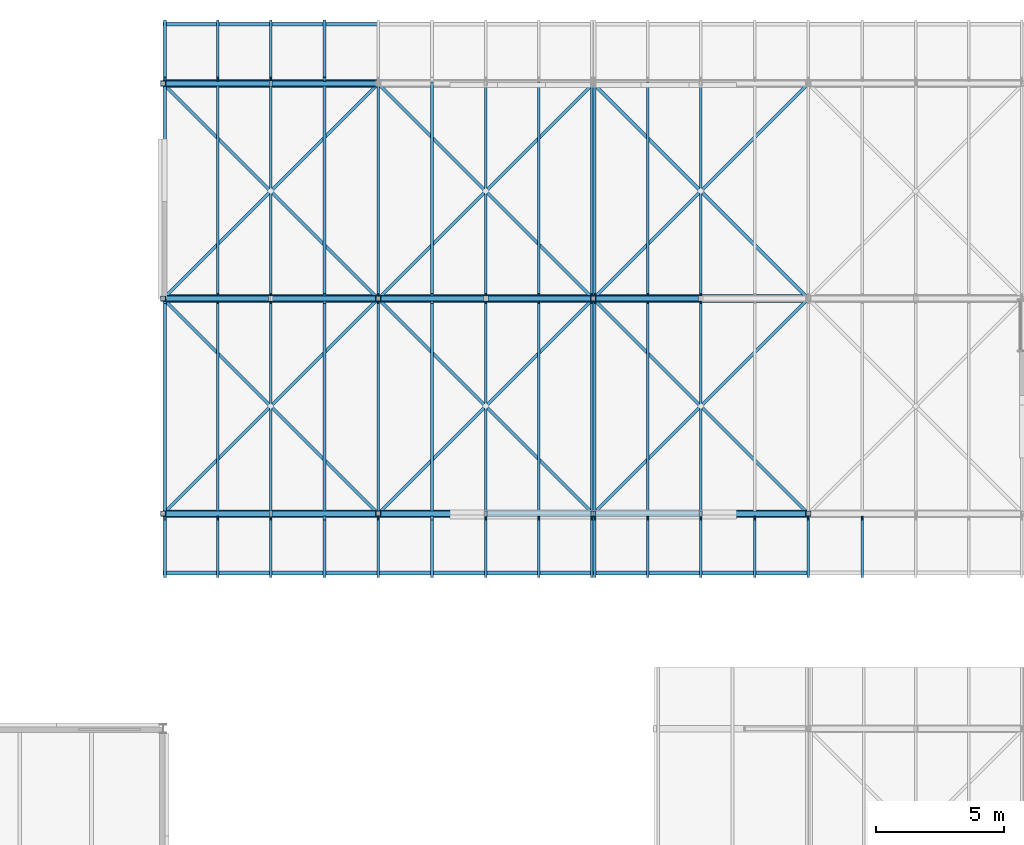
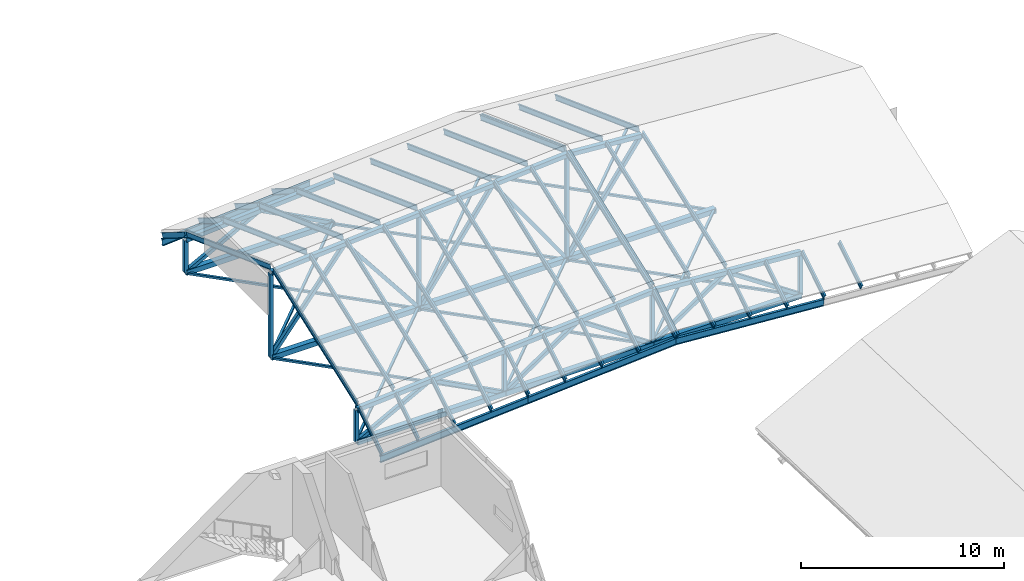
# One storey, part 22 of 76: 67 beams, 33 members.
"""IFC4 building model written with IfcOpenShell, lengths in metres."""

from ifc_helpers import new_model, si_unit, direction, frame, origin, origin_2d, place, context, subcontext, project, spatial, hollow_rectangle, i_section, extrude, material, material_profile, profile_set, type_object, element, save


model = new_model("IFC4")

# Units and contexts
model_context = context("Model", 3, precision=1e-05, world=origin(), true_north=direction((0.0, 1.0)))
body_context = subcontext(model_context, "Body", "Model", "MODEL_VIEW")
ifc_project = project(units=[si_unit("LENGTHUNIT", "METRE"), si_unit("AREAUNIT", "SQUARE_METRE"), si_unit("VOLUMEUNIT", "CUBIC_METRE"), si_unit("PLANEANGLEUNIT", "RADIAN"), si_unit("MASSUNIT", "GRAM", prefix="KILO")], contexts=[model_context])

# Site, building, storey
site_placement = place(None, origin())
site = spatial("IfcSite", under=ifc_project, at=site_placement, CompositionType="ELEMENT")
building_placement = place(site_placement, origin())
building = spatial("IfcBuilding", under=site, at=building_placement, Name="Hlaing Beacon Police Headquarters", CompositionType="ELEMENT")
storey_placement = place(building_placement, frame((0.0, 0.0, 18.89990234375)))
storey = spatial("IfcBuildingStorey", under=building, at=storey_placement, Name="L04", CompositionType="ELEMENT", Elevation=18.89990234375)

# Beams
ifc_material_1 = material(Name="Steel ASTM A992 Grade 50", Category="steel")
ifc_material_profile_1 = material_profile(ifc_material_1, i_section(OverallWidth=0.140380859375, OverallDepth=0.40380859375, WebThickness=0.007080078125, FlangeThickness=0.01123046875, FilletRadius=0.01025390625, at=origin_2d()), Name="W16x31")
ifc_profile_set_1 = profile_set([ifc_material_profile_1], Name="Steel ASTM A992 Grade 50")
beam_type_1 = type_object("IfcBeamType", Name="Eave edge beam W16x31", PredefinedType="BEAM", material=ifc_profile_set_1)
for number, where, z_axis, x_axis, name in (
    (1, (33.60009765625, 73.28271484375, -2.199951171875), (0.997459876989, 0.0, 0.071230567859), (0.0, 1.0, 0.0), "STR-RT-V2-EB-R1-01"),
    (2, (42.0, 73.28271484375, -1.60009765625), (0.997457816785, 0.0, 0.071259411546), (0.0, 1.0, 0.0), "STR-RT-V2-EB-R1-02"),
):
    element("IfcBeam", number, at=place(storey_placement, frame(where, z_axis=z_axis, x_axis=x_axis)), inside=storey, type_object=beam_type_1, Name=name, PredefinedType="BEAM", context=body_context, shape_type="SweptSolid", body=[
        extrude(i_section(OverallWidth=0.140380859375, OverallDepth=0.40380859375, WebThickness=0.007080078125, FlangeThickness=0.01123046875, FilletRadius=0.01025390625, at=origin_2d()), origin(), (0.0, 0.0, 1.0), 8.42138671875),
    ])
beam_1_placement = place(storey_placement, frame((50.39990234375, 73.28271484375, -1.0), z_axis=(0.997457963991, 0.0, -0.071257350989), x_axis=(0.0, 1.0, 0.0)))
element("IfcBeam", 3, at=beam_1_placement, inside=storey, type_object=beam_type_1, Name="STR-RT-V2-EB-R2-01", PredefinedType="BEAM", context=body_context, shape_type="SweptSolid", body=[
    extrude(i_section(OverallWidth=0.140380859375, OverallDepth=0.40380859375, WebThickness=0.007080078125, FlangeThickness=0.01123046875, FilletRadius=0.01025390625, at=origin_2d()), origin(), (0.0, 0.0, 1.0), 8.421630859375),
])
beam_2_placement = place(storey_placement, frame((33.60009765625, 94.71728515625, -2.199951171875), z_axis=(0.997459876989, 0.0, 0.071230567859), x_axis=(0.0, 1.0, 0.0)))
element("IfcBeam", 4, at=beam_2_placement, inside=storey, type_object=beam_type_1, Name="STR-RT-V2-EB-R7-01", PredefinedType="BEAM", context=body_context, shape_type="SweptSolid", body=[
    extrude(i_section(OverallWidth=0.140380859375, OverallDepth=0.40380859375, WebThickness=0.007080078125, FlangeThickness=0.01123046875, FilletRadius=0.01025390625, at=origin_2d()), origin(), (0.0, 0.0, 1.0), 8.42138671875),
])

# Members
ifc_material_2 = material(Name="Steel ASTM A500 Grade C", Category="steel")
ifc_material_profile_2 = material_profile(ifc_material_2, hollow_rectangle(XDim=0.126953125, YDim=0.126953125, WallThickness=0.009521484375, at=origin_2d()), Name="HSS5x5x3/8")
ifc_profile_set_2 = profile_set([ifc_material_profile_2], Name="Steel ASTM A500 Grade C")
member_type_1 = type_object("IfcMemberType", Name="Roof plan brace HSS5x5x3/8", PredefinedType="BRACE", material=ifc_profile_set_2)
for number, where, z_axis, x_axis, name in (
    (5, (33.60009765625, 75.60009765625, -2.47412109375), (0.707106781187, 0.707106781187, 0.0), (-0.707106781187, 0.707106781187, 0.0), "STR-RT-V2-WB01"),
    (6, (33.60009765625, 84.0, -2.62109375), (0.707106781187, -0.707106781187, 0.0), (0.707106781187, 0.707106781187, 0.0), "STR-RT-V2-WB02"),
    (7, (42.0, 75.60009765625, -2.47412109375), (0.707106781187, 0.707106781187, 0.0), (-0.707106781187, 0.707106781187, 0.0), "STR-RT-V2-WB03"),
    (8, (42.0, 84.0, -2.62109375), (0.707106781187, -0.707106781187, 0.0), (0.707106781187, 0.707106781187, 0.0), "STR-RT-V2-WB04"),
):
    element("IfcMember", number, at=place(storey_placement, frame(where, z_axis=z_axis, x_axis=x_axis)), inside=storey, type_object=member_type_1, Name=name, PredefinedType="BRACE", context=body_context, shape_type="SweptSolid", body=[
        extrude(hollow_rectangle(XDim=0.126953125, YDim=0.126953125, WallThickness=0.009521484375, at=origin_2d()), origin(), (0.0, 0.0, 1.0), 11.879150390625),
    ])
for number, where, z_axis, x_axis, name in (
    (9, (50.39990234375, 75.60009765625, -2.47412109375), (0.707117056885, 0.707096505339, 0.0), (-0.707096505339, 0.707117056885, 0.0), "STR-RT-V2-WB05"),
    (10, (50.39990234375, 84.0, -2.62109375), (0.707117056885, -0.707096505339, 0.0), (0.707096505339, 0.707117056885, 0.0), "STR-RT-V2-WB06"),
):
    element("IfcMember", number, at=place(storey_placement, frame(where, z_axis=z_axis, x_axis=x_axis)), inside=storey, type_object=member_type_1, Name=name, PredefinedType="BRACE", context=body_context, shape_type="SweptSolid", body=[
        extrude(hollow_rectangle(XDim=0.126953125, YDim=0.126953125, WallThickness=0.009521484375, at=origin_2d()), origin(), (0.0, 0.0, 1.0), 11.87939453125),
    ])
for number, where, z_axis, x_axis, name in (
    (11, (33.60009765625, 84.0, -2.47412109375), (0.707106781187, 0.707106781187, 0.0), (-0.707106781187, 0.707106781187, 0.0), "STR-RT-V2-WB09"),
    (12, (33.60009765625, 92.39990234375, -2.62109375), (0.707106781187, -0.707106781187, 0.0), (0.707106781187, 0.707106781187, 0.0), "STR-RT-V2-WB10"),
    (13, (42.0, 84.0, -2.47412109375), (0.707106781187, 0.707106781187, 0.0), (-0.707106781187, 0.707106781187, 0.0), "STR-RT-V2-WB11"),
    (14, (42.0, 92.39990234375, -2.62109375), (0.707106781187, -0.707106781187, 0.0), (0.707106781187, 0.707106781187, 0.0), "STR-RT-V2-WB12"),
):
    element("IfcMember", number, at=place(storey_placement, frame(where, z_axis=z_axis, x_axis=x_axis)), inside=storey, type_object=member_type_1, Name=name, PredefinedType="BRACE", context=body_context, shape_type="SweptSolid", body=[
        extrude(hollow_rectangle(XDim=0.126953125, YDim=0.126953125, WallThickness=0.009521484375, at=origin_2d()), origin(), (0.0, 0.0, 1.0), 11.879150390625),
    ])
for number, where, z_axis, x_axis, name in (
    (15, (50.39990234375, 84.0, -2.47412109375), (0.707117056885, 0.707096505339, 0.0), (-0.707096505339, 0.707117056885, 0.0), "STR-RT-V2-WB13"),
    (16, (50.39990234375, 92.39990234375, -2.62109375), (0.707117056885, -0.707096505339, 0.0), (0.707096505339, 0.707117056885, 0.0), "STR-RT-V2-WB14"),
):
    element("IfcMember", number, at=place(storey_placement, frame(where, z_axis=z_axis, x_axis=x_axis)), inside=storey, type_object=member_type_1, Name=name, PredefinedType="BRACE", context=body_context, shape_type="SweptSolid", body=[
        extrude(hollow_rectangle(XDim=0.126953125, YDim=0.126953125, WallThickness=0.009521484375, at=origin_2d()), origin(), (0.0, 0.0, 1.0), 11.87939453125),
    ])

# Beams
ifc_material_3 = material(Name="Steel ASTM A992 Grade 50", Category="steel")
ifc_material_profile_3 = material_profile(ifc_material_3, i_section(OverallWidth=0.102294921875, OverallDepth=0.3125, WebThickness=0.006591796875, FlangeThickness=0.0107421875, FilletRadius=0.007568359375, at=origin_2d()), Name="W12x22")
ifc_profile_set_3 = profile_set([ifc_material_profile_3], Name="Steel ASTM A992 Grade 50")
beam_type_2 = type_object("IfcBeamType", Name="Roof purlin W12x22", PredefinedType="BEAM", material=ifc_profile_set_3)
for number, where, z_axis, x_axis, name in (
    (17, (33.67041015625, 73.199951171875, -1.8603515625), (0.0, 0.847972250869, 0.530040622741), (-1.0, 0.0, 0.0), "STR-RT-V2-PR-R1-01-1"),
    (18, (35.735107421875, 73.199951171875, -1.712890625), (0.0, 0.847972250869, 0.530040622741), (-1.0, 0.0, 0.0), "STR-RT-V2-PR-R1-02-1"),
    (19, (37.800048828125, 73.199951171875, -1.565185546875), (0.0, 0.848013935671, 0.529973928516), (-1.0, 0.0, 0.0), "STR-RT-V2-PR-R1-03-1"),
    (20, (39.89990234375, 73.199951171875, -1.415283203125), (0.0, 0.847972250869, 0.530040622741), (-1.0, 0.0, 0.0), "STR-RT-V2-PR-R1-04-1"),
    (21, (42.0, 73.199951171875, -1.265380859375), (0.0, 0.847972250869, 0.530040622741), (-1.0, 0.0, 0.0), "STR-RT-V2-PR-R1-05-1"),
    (22, (44.10009765625, 73.199951171875, -1.115234375), (0.0, 0.848013935671, 0.529973928516), (-1.0, 0.0, 0.0), "STR-RT-V2-PR-R1-06-1"),
    (23, (46.199951171875, 73.199951171875, -0.96533203125), (0.0, 0.847972250869, 0.530040622741), (-1.0, 0.0, 0.0), "STR-RT-V2-PR-R1-07-1"),
    (24, (48.269287109375, 73.199951171875, -0.8173828125), (0.0, 0.848013935671, 0.529973928516), (-1.0, 0.0, 0.0), "STR-RT-V2-PR-R1-08-1"),
    (25, (50.3388671875, 73.199951171875, -0.669677734375), (0.0, 0.847972250869, 0.530040622741), (-1.0, 0.0, 0.0), "STR-RT-V2-PR-R1-09-1"),
    (26, (50.461181640625, 73.199951171875, -0.669677734375), (0.0, 0.847972250869, 0.530040622741), (-1.0, 0.0, 0.0), "STR-RT-V2-PR-R2-01-1"),
    (27, (52.530517578125, 73.199951171875, -0.8173828125), (0.0, 0.848013935671, 0.529973928516), (-1.0, 0.0, 0.0), "STR-RT-V2-PR-R2-02-1"),
    (28, (54.60009765625, 73.199951171875, -0.96533203125), (0.0, 0.847972250869, 0.530040622741), (-1.0, 0.0, 0.0), "STR-RT-V2-PR-R2-03-1"),
    (29, (56.699951171875, 73.199951171875, -1.115234375), (0.0, 0.848013935671, 0.529973928516), (-1.0, 0.0, 0.0), "STR-RT-V2-PR-R2-04-1"),
    (30, (58.800048828125, 73.199951171875, -1.265380859375), (0.0, 0.847972250869, 0.530040622741), (-1.0, 0.0, 0.0), "STR-RT-V2-PR-R2-05-1"),
    (31, (60.89990234375, 73.199951171875, -1.415283203125), (0.0, 0.847972250869, 0.530040622741), (-1.0, 0.0, 0.0), "STR-RT-V2-PR-R2-06-1"),
):
    element("IfcBeam", number, at=place(storey_placement, frame(where, z_axis=z_axis, x_axis=x_axis)), inside=storey, type_object=beam_type_2, Name=name, PredefinedType="BEAM", context=body_context, shape_type="SweptSolid", body=[
        extrude(i_section(OverallWidth=0.102294921875, OverallDepth=0.3125, WebThickness=0.006591796875, FlangeThickness=0.0107421875, FilletRadius=0.007568359375, at=origin_2d()), origin(), (0.0, 0.0, 1.0), 2.63232421875),
    ])
for number, where, z_axis, x_axis, name in (
    (32, (33.671142578125, 75.60009765625, -0.325439453125), (0.0, 0.938153150415, 0.346220545846), (-1.0, 0.0, 0.0), "STR-RT-V2-PR-R3-01-1"),
    (33, (35.735595703125, 75.60009765625, -0.17822265625), (0.0, 0.938144144405, 0.346244948437), (-1.0, 0.0, 0.0), "STR-RT-V2-PR-R3-02-1"),
    (34, (37.800048828125, 75.60009765625, -0.030517578125), (0.0, 0.938153150415, 0.346220545846), (-1.0, 0.0, 0.0), "STR-RT-V2-PR-R3-03-1"),
    (35, (39.89990234375, 75.60009765625, 0.119384765625), (0.0, 0.938144144405, 0.346244948437), (-1.0, 0.0, 0.0), "STR-RT-V2-PR-R3-04-1"),
    (36, (42.0, 75.60009765625, 0.269287109375), (0.0, 0.938144144405, 0.346244948437), (-1.0, 0.0, 0.0), "STR-RT-V2-PR-R3-05-1"),
    (37, (44.10009765625, 75.60009765625, 0.41943359375), (0.0, 0.938153150415, 0.346220545846), (-1.0, 0.0, 0.0), "STR-RT-V2-PR-R3-06-1"),
    (38, (46.199951171875, 75.60009765625, 0.5693359375), (0.0, 0.938144144405, 0.346244948437), (-1.0, 0.0, 0.0), "STR-RT-V2-PR-R3-07-1"),
    (39, (48.269287109375, 75.60009765625, 0.71728515625), (0.0, 0.938153150415, 0.346220545846), (-1.0, 0.0, 0.0), "STR-RT-V2-PR-R3-08-1"),
    (40, (50.3388671875, 75.60009765625, 0.864990234375), (0.0, 0.938144144405, 0.346244948437), (-1.0, 0.0, 0.0), "STR-RT-V2-PR-R3-09-1"),
    (41, (50.461181640625, 75.60009765625, 0.864990234375), (0.0, 0.938144144405, 0.346244948437), (-1.0, 0.0, 0.0), "STR-RT-V2-PR-R4-01-1"),
    (42, (52.530517578125, 75.60009765625, 0.71728515625), (0.0, 0.938153150415, 0.346220545846), (-1.0, 0.0, 0.0), "STR-RT-V2-PR-R4-02-1"),
    (43, (54.60009765625, 75.60009765625, 0.5693359375), (0.0, 0.938144144405, 0.346244948437), (-1.0, 0.0, 0.0), "STR-RT-V2-PR-R4-03-1"),
    (44, (33.671142578125, 84.13916015625, 2.72314453125), (0.0, 0.938153150415, -0.346220545846), (-1.0, 0.0, 0.0), "STR-RT-V2-PR-R5-01-1"),
    (45, (35.735595703125, 84.13916015625, 2.87060546875), (0.0, 0.938144144405, -0.346244948437), (-1.0, 0.0, 0.0), "STR-RT-V2-PR-R5-02-1"),
    (46, (37.800048828125, 84.13916015625, 3.01806640625), (0.0, 0.938153150415, -0.346220545846), (-1.0, 0.0, 0.0), "STR-RT-V2-PR-R5-03-1"),
    (47, (39.89990234375, 84.13916015625, 3.168212890625), (0.0, 0.938144144405, -0.346244948437), (-1.0, 0.0, 0.0), "STR-RT-V2-PR-R5-04-1"),
    (48, (42.0, 84.13916015625, 3.318115234375), (0.0, 0.938144144405, -0.346244948437), (-1.0, 0.0, 0.0), "STR-RT-V2-PR-R5-05-1"),
    (49, (44.10009765625, 84.13916015625, 3.468017578125), (0.0, 0.938153150415, -0.346220545846), (-1.0, 0.0, 0.0), "STR-RT-V2-PR-R5-06-1"),
    (50, (46.199951171875, 84.13916015625, 3.6181640625), (0.0, 0.938144144405, -0.346244948437), (-1.0, 0.0, 0.0), "STR-RT-V2-PR-R5-07-1"),
    (51, (48.269287109375, 84.13916015625, 3.765869140625), (0.0, 0.938153150415, -0.346220545846), (-1.0, 0.0, 0.0), "STR-RT-V2-PR-R5-08-1"),
    (52, (50.3388671875, 84.13916015625, 3.913818359375), (0.0, 0.938144144405, -0.346244948437), (-1.0, 0.0, 0.0), "STR-RT-V2-PR-R5-09-1"),
    (53, (50.461181640625, 84.13916015625, 3.913818359375), (0.0, 0.938144144405, -0.346244948437), (-1.0, 0.0, 0.0), "STR-RT-V2-PR-R6-01-1"),
    (54, (52.530517578125, 84.13916015625, 3.765869140625), (0.0, 0.938153150415, -0.346220545846), (-1.0, 0.0, 0.0), "STR-RT-V2-PR-R6-02-1"),
    (55, (54.60009765625, 84.13916015625, 3.6181640625), (0.0, 0.938144144405, -0.346244948437), (-1.0, 0.0, 0.0), "STR-RT-V2-PR-R6-03-1"),
):
    element("IfcBeam", number, at=place(storey_placement, frame(where, z_axis=z_axis, x_axis=x_axis)), inside=storey, type_object=beam_type_2, Name=name, PredefinedType="BEAM", context=body_context, shape_type="SweptSolid", body=[
        extrude(i_section(OverallWidth=0.102294921875, OverallDepth=0.3125, WebThickness=0.006591796875, FlangeThickness=0.0107421875, FilletRadius=0.007568359375, at=origin_2d()), origin(), (0.0, 0.0, 1.0), 8.805419921875),
    ])
for number, where, z_axis, x_axis, name in (
    (56, (33.67041015625, 92.56787109375, -0.465087890625), (0.0, 0.847972250869, -0.530040622741), (-1.0, 0.0, 0.0), "STR-RT-V2-PR-R7-01-1"),
    (57, (35.735107421875, 92.56787109375, -0.317626953125), (0.0, 0.847972250869, -0.530040622741), (-1.0, 0.0, 0.0), "STR-RT-V2-PR-R7-02-1"),
    (58, (37.800048828125, 92.56787109375, -0.170166015625), (0.0, 0.848013935671, -0.529973928516), (-1.0, 0.0, 0.0), "STR-RT-V2-PR-R7-03-1"),
    (59, (39.89990234375, 92.56787109375, -0.02001953125), (0.0, 0.847972250869, -0.530040622741), (-1.0, 0.0, 0.0), "STR-RT-V2-PR-R7-04-1"),
):
    element("IfcBeam", number, at=place(storey_placement, frame(where, z_axis=z_axis, x_axis=x_axis)), inside=storey, type_object=beam_type_2, Name=name, PredefinedType="BEAM", context=body_context, shape_type="SweptSolid", body=[
        extrude(i_section(OverallWidth=0.102294921875, OverallDepth=0.3125, WebThickness=0.006591796875, FlangeThickness=0.0107421875, FilletRadius=0.007568359375, at=origin_2d()), origin(), (0.0, 0.0, 1.0), 2.63232421875),
    ])
ifc_material_4 = material(Name="Steel ASTM A500 Grade C", Category="steel")
ifc_material_profile_4 = material_profile(ifc_material_4, hollow_rectangle(XDim=0.3046875, YDim=0.3046875, WallThickness=0.015869140625, at=origin_2d()), Name="HSS12x12x5/8")
ifc_profile_set_4 = profile_set([ifc_material_profile_4], Name="Steel ASTM A500 Grade C")
beam_type_3 = type_object("IfcBeamType", Name="Truss bottom chord HSS12x12x5/8", PredefinedType="BEAM", material=ifc_profile_set_4)
for number, where, z_axis, x_axis, name in (
    (60, (33.60009765625, 75.60009765625, -2.547607421875), (1.0, 0.0, 0.0), (0.0, 1.0, 0.0), "STR-RT-V2-T1-BC01"),
    (61, (42.0, 75.60009765625, -2.547607421875), (1.0, 0.0, 0.0), (0.0, 1.0, 0.0), "STR-RT-V2-T1-BC02"),
):
    element("IfcBeam", number, at=place(storey_placement, frame(where, z_axis=z_axis, x_axis=x_axis)), inside=storey, type_object=beam_type_3, Name=name, PredefinedType="BEAM", context=body_context, shape_type="SweptSolid", body=[
        extrude(hollow_rectangle(XDim=0.3046875, YDim=0.3046875, WallThickness=0.015869140625, at=origin_2d()), origin(), (0.0, 0.0, 1.0), 8.39990234375),
    ])
beam_3_placement = place(storey_placement, frame((50.39990234375, 75.60009765625, -2.547607421875), z_axis=(1.0, 0.0, 0.0), x_axis=(0.0, 1.0, 0.0)))
element("IfcBeam", 62, at=beam_3_placement, inside=storey, type_object=beam_type_3, Name="STR-RT-V2-T1-BC03", PredefinedType="BEAM", context=body_context, shape_type="SweptSolid", body=[
    extrude(hollow_rectangle(XDim=0.3046875, YDim=0.3046875, WallThickness=0.015869140625, at=origin_2d()), origin(), (0.0, 0.0, 1.0), 8.400146484375),
])
for number, where, z_axis, x_axis, name in (
    (63, (33.60009765625, 84.0, -2.547607421875), (1.0, 0.0, 0.0), (0.0, 1.0, 0.0), "STR-RT-V2-T2-BC01"),
    (64, (42.0, 84.0, -2.547607421875), (1.0, 0.0, 0.0), (0.0, 1.0, 0.0), "STR-RT-V2-T2-BC02"),
):
    element("IfcBeam", number, at=place(storey_placement, frame(where, z_axis=z_axis, x_axis=x_axis)), inside=storey, type_object=beam_type_3, Name=name, PredefinedType="BEAM", context=body_context, shape_type="SweptSolid", body=[
        extrude(hollow_rectangle(XDim=0.3046875, YDim=0.3046875, WallThickness=0.015869140625, at=origin_2d()), origin(), (0.0, 0.0, 1.0), 8.39990234375),
    ])
beam_4_placement = place(storey_placement, frame((50.39990234375, 84.0, -2.547607421875), z_axis=(1.0, 0.0, 0.0), x_axis=(0.0, 1.0, 0.0)))
element("IfcBeam", 65, at=beam_4_placement, inside=storey, type_object=beam_type_3, Name="STR-RT-V2-T2-BC03", PredefinedType="BEAM", context=body_context, shape_type="SweptSolid", body=[
    extrude(hollow_rectangle(XDim=0.3046875, YDim=0.3046875, WallThickness=0.015869140625, at=origin_2d()), origin(), (0.0, 0.0, 1.0), 8.400146484375),
])
beam_5_placement = place(storey_placement, frame((33.60009765625, 92.39990234375, -2.547607421875), z_axis=(1.0, 0.0, 0.0), x_axis=(0.0, 1.0, 0.0)))
element("IfcBeam", 66, at=beam_5_placement, inside=storey, type_object=beam_type_3, Name="STR-RT-V2-T3-BC01", PredefinedType="BEAM", context=body_context, shape_type="SweptSolid", body=[
    extrude(hollow_rectangle(XDim=0.3046875, YDim=0.3046875, WallThickness=0.015869140625, at=origin_2d()), origin(), (0.0, 0.0, 1.0), 8.39990234375),
])

# Members
ifc_material_5 = material(Name="Steel ASTM A500 Grade C", Category="steel")
ifc_material_profile_5 = material_profile(ifc_material_5, hollow_rectangle(XDim=0.203125, YDim=0.203125, WallThickness=0.015869140625, at=origin_2d()), Name="HSS8x8x5/8")
ifc_profile_set_5 = profile_set([ifc_material_profile_5], Name="Steel ASTM A500 Grade C")
member_type_2 = type_object("IfcMemberType", Name="Truss post HSS8x8x5/8", PredefinedType="POST", material=ifc_profile_set_5)
member_1_placement = place(storey_placement, frame((33.60009765625, 75.60009765625, -2.547607421875), z_axis=(0.0, 0.0, 1.0), x_axis=(1.0, 0.0, 0.0)))
element("IfcMember", 67, at=member_1_placement, inside=storey, type_object=member_type_2, Name="STR-RT-V2-T1-PS01", PredefinedType="POST", context=body_context, shape_type="SweptSolid", body=[
    extrude(hollow_rectangle(XDim=0.203125, YDim=0.203125, WallThickness=0.015869140625, at=origin_2d()), origin(), (0.0, 0.0, 1.0), 1.931884765625),
])
member_2_placement = place(storey_placement, frame((42.0, 75.60009765625, -2.547607421875), z_axis=(0.0, 0.0, 1.0), x_axis=(1.0, 0.0, 0.0)))
element("IfcMember", 68, at=member_2_placement, inside=storey, type_object=member_type_2, Name="STR-RT-V2-T1-PS02", PredefinedType="POST", context=body_context, shape_type="SweptSolid", body=[
    extrude(hollow_rectangle(XDim=0.203125, YDim=0.203125, WallThickness=0.015869140625, at=origin_2d()), origin(), (0.0, 0.0, 1.0), 2.531982421875),
])
member_3_placement = place(storey_placement, frame((50.39990234375, 75.60009765625, -2.547607421875), z_axis=(0.0, 0.0, 1.0), x_axis=(1.0, 0.0, 0.0)))
element("IfcMember", 69, at=member_3_placement, inside=storey, type_object=member_type_2, Name="STR-RT-V2-T1-PS03", PredefinedType="POST", context=body_context, shape_type="SweptSolid", body=[
    extrude(hollow_rectangle(XDim=0.203125, YDim=0.203125, WallThickness=0.015869140625, at=origin_2d()), origin(), (0.0, 0.0, 1.0), 3.143798828125),
])
member_4_placement = place(storey_placement, frame((58.800048828125, 75.60009765625, -2.547607421875), z_axis=(0.0, 0.0, 1.0), x_axis=(1.0, 0.0, 0.0)))
element("IfcMember", 70, at=member_4_placement, inside=storey, type_object=member_type_2, Name="STR-RT-V2-T1-PS04", PredefinedType="POST", context=body_context, shape_type="SweptSolid", body=[
    extrude(hollow_rectangle(XDim=0.203125, YDim=0.203125, WallThickness=0.015869140625, at=origin_2d()), origin(), (0.0, 0.0, 1.0), 2.531982421875),
])
member_5_placement = place(storey_placement, frame((33.60009765625, 84.0, -2.547607421875), z_axis=(0.0, 0.0, 1.0), x_axis=(1.0, 0.0, 0.0)))
element("IfcMember", 71, at=member_5_placement, inside=storey, type_object=member_type_2, Name="STR-RT-V2-T2-PS01", PredefinedType="POST", context=body_context, shape_type="SweptSolid", body=[
    extrude(hollow_rectangle(XDim=0.203125, YDim=0.203125, WallThickness=0.015869140625, at=origin_2d()), origin(), (0.0, 0.0, 1.0), 5.040283203125),
])
member_6_placement = place(storey_placement, frame((42.0, 84.0, -2.547607421875), z_axis=(0.0, 0.0, 1.0), x_axis=(1.0, 0.0, 0.0)))
element("IfcMember", 72, at=member_6_placement, inside=storey, type_object=member_type_2, Name="STR-RT-V2-T2-PS02", PredefinedType="POST", context=body_context, shape_type="SweptSolid", body=[
    extrude(hollow_rectangle(XDim=0.203125, YDim=0.203125, WallThickness=0.015869140625, at=origin_2d()), origin(), (0.0, 0.0, 1.0), 5.640380859375),
])
member_7_placement = place(storey_placement, frame((50.39990234375, 84.0, -2.547607421875), z_axis=(0.0, 0.0, 1.0), x_axis=(1.0, 0.0, 0.0)))
element("IfcMember", 73, at=member_7_placement, inside=storey, type_object=member_type_2, Name="STR-RT-V2-T2-PS03", PredefinedType="POST", context=body_context, shape_type="SweptSolid", body=[
    extrude(hollow_rectangle(XDim=0.203125, YDim=0.203125, WallThickness=0.015869140625, at=origin_2d()), origin(), (0.0, 0.0, 1.0), 6.25244140625),
])
member_8_placement = place(storey_placement, frame((33.60009765625, 92.39990234375, -2.547607421875), z_axis=(0.0, 0.0, 1.0), x_axis=(1.0, 0.0, 0.0)))
element("IfcMember", 74, at=member_8_placement, inside=storey, type_object=member_type_2, Name="STR-RT-V2-T3-PS01", PredefinedType="POST", context=body_context, shape_type="SweptSolid", body=[
    extrude(hollow_rectangle(XDim=0.203125, YDim=0.203125, WallThickness=0.015869140625, at=origin_2d()), origin(), (0.0, 0.0, 1.0), 1.931884765625),
])

# Beams
ifc_material_6 = material(Name="Steel ASTM A500 Grade C", Category="steel")
ifc_material_profile_6 = material_profile(ifc_material_6, hollow_rectangle(XDim=0.25390625, YDim=0.25390625, WallThickness=0.015869140625, at=origin_2d()), Name="HSS10x10x5/8")
ifc_profile_set_6 = profile_set([ifc_material_profile_6], Name="Steel ASTM A500 Grade C")
beam_type_4 = type_object("IfcBeamType", Name="Truss top chord HSS10x10x5/8", PredefinedType="BEAM", material=ifc_profile_set_6)
for number, where, z_axis, x_axis, name in (
    (75, (33.60009765625, 75.60009765625, -0.61572265625), (0.997457816785, 0.0, 0.071259411546), (0.0, 1.0, 0.0), "STR-RT-V2-T1-TC01"),
    (76, (37.800048828125, 75.60009765625, -0.315673828125), (0.997457816785, 0.0, 0.071259411546), (0.0, 1.0, 0.0), "STR-RT-V2-T1-TC02"),
    (77, (42.0, 75.60009765625, -0.015625), (0.997461936367, 0.0, 0.071201723993), (0.0, 1.0, 0.0), "STR-RT-V2-T1-TC03"),
):
    element("IfcBeam", number, at=place(storey_placement, frame(where, z_axis=z_axis, x_axis=x_axis)), inside=storey, type_object=beam_type_4, Name=name, PredefinedType="BEAM", context=body_context, shape_type="SweptSolid", body=[
        extrude(hollow_rectangle(XDim=0.25390625, YDim=0.25390625, WallThickness=0.015869140625, at=origin_2d()), origin(), (0.0, 0.0, 1.0), 4.210693359375),
    ])
beam_6_placement = place(storey_placement, frame((46.199951171875, 75.60009765625, 0.2841796875), z_axis=(0.997251914502, 0.0, 0.074085214598), x_axis=(0.0, 1.0, 0.0)))
element("IfcBeam", 78, at=beam_6_placement, inside=storey, type_object=beam_type_4, Name="STR-RT-V2-T1-TC04", PredefinedType="BEAM", context=body_context, shape_type="SweptSolid", body=[
    extrude(hollow_rectangle(XDim=0.25390625, YDim=0.25390625, WallThickness=0.015869140625, at=origin_2d()), origin(), (0.0, 0.0, 1.0), 4.21142578125),
])
beam_7_placement = place(storey_placement, frame((50.39990234375, 75.60009765625, 0.59619140625), z_axis=(0.997252232648, 0.0, -0.074080931953), x_axis=(0.0, 1.0, 0.0)))
element("IfcBeam", 79, at=beam_7_placement, inside=storey, type_object=beam_type_4, Name="STR-RT-V2-T1-TC05", PredefinedType="BEAM", context=body_context, shape_type="SweptSolid", body=[
    extrude(hollow_rectangle(XDim=0.25390625, YDim=0.25390625, WallThickness=0.015869140625, at=origin_2d()), origin(), (0.0, 0.0, 1.0), 4.211669921875),
])
for number, where, z_axis, x_axis, name in (
    (80, (54.60009765625, 75.60009765625, 0.2841796875), (0.997461936367, 0.0, -0.071201723993), (0.0, 1.0, 0.0), "STR-RT-V2-T1-TC06"),
    (81, (33.60009765625, 84.0, 2.49267578125), (0.997457816785, 0.0, 0.071259411546), (0.0, 1.0, 0.0), "STR-RT-V2-T2-TC01"),
    (82, (37.800048828125, 84.0, 2.792724609375), (0.997457816785, 0.0, 0.071259411546), (0.0, 1.0, 0.0), "STR-RT-V2-T2-TC02"),
    (83, (42.0, 84.0, 3.0927734375), (0.997457816785, 0.0, 0.071259411546), (0.0, 1.0, 0.0), "STR-RT-V2-T2-TC03"),
):
    element("IfcBeam", number, at=place(storey_placement, frame(where, z_axis=z_axis, x_axis=x_axis)), inside=storey, type_object=beam_type_4, Name=name, PredefinedType="BEAM", context=body_context, shape_type="SweptSolid", body=[
        extrude(hollow_rectangle(XDim=0.25390625, YDim=0.25390625, WallThickness=0.015869140625, at=origin_2d()), origin(), (0.0, 0.0, 1.0), 4.210693359375),
    ])
beam_8_placement = place(storey_placement, frame((46.199951171875, 84.0, 3.392822265625), z_axis=(0.997251914502, 0.0, 0.074085214598), x_axis=(0.0, 1.0, 0.0)))
element("IfcBeam", 84, at=beam_8_placement, inside=storey, type_object=beam_type_4, Name="STR-RT-V2-T2-TC04", PredefinedType="BEAM", context=body_context, shape_type="SweptSolid", body=[
    extrude(hollow_rectangle(XDim=0.25390625, YDim=0.25390625, WallThickness=0.015869140625, at=origin_2d()), origin(), (0.0, 0.0, 1.0), 4.21142578125),
])
beam_9_placement = place(storey_placement, frame((50.39990234375, 84.0, 3.704833984375), z_axis=(0.997252232648, 0.0, -0.074080931953), x_axis=(0.0, 1.0, 0.0)))
element("IfcBeam", 85, at=beam_9_placement, inside=storey, type_object=beam_type_4, Name="STR-RT-V2-T2-TC05", PredefinedType="BEAM", context=body_context, shape_type="SweptSolid", body=[
    extrude(hollow_rectangle(XDim=0.25390625, YDim=0.25390625, WallThickness=0.015869140625, at=origin_2d()), origin(), (0.0, 0.0, 1.0), 4.211669921875),
])
for number, where, z_axis, x_axis, name in (
    (86, (33.60009765625, 92.39990234375, -0.61572265625), (0.997457816785, 0.0, 0.071259411546), (0.0, 1.0, 0.0), "STR-RT-V2-T3-TC01"),
    (87, (37.800048828125, 92.39990234375, -0.315673828125), (0.997457816785, 0.0, 0.071259411546), (0.0, 1.0, 0.0), "STR-RT-V2-T3-TC02"),
):
    element("IfcBeam", number, at=place(storey_placement, frame(where, z_axis=z_axis, x_axis=x_axis)), inside=storey, type_object=beam_type_4, Name=name, PredefinedType="BEAM", context=body_context, shape_type="SweptSolid", body=[
        extrude(hollow_rectangle(XDim=0.25390625, YDim=0.25390625, WallThickness=0.015869140625, at=origin_2d()), origin(), (0.0, 0.0, 1.0), 4.210693359375),
    ])

# Members
ifc_material_7 = material(Name="Steel ASTM A500 Grade C", Category="steel")
ifc_material_profile_7 = material_profile(ifc_material_7, hollow_rectangle(XDim=0.203125, YDim=0.203125, WallThickness=0.0126953125, at=origin_2d()), Name="HSS8x8x1/2")
ifc_profile_set_7 = profile_set([ifc_material_profile_7], Name="Steel ASTM A500 Grade C")
member_type_3 = type_object("IfcMemberType", Name="Truss web HSS8x8x1/2", PredefinedType="BRACE", material=ifc_profile_set_7)
for number, where, z_axis, x_axis, name in (
    (88, (33.60009765625, 75.60009765625, -2.547607421875), (0.883053903014, 0.0, 0.469271567828), (0.0, 1.0, 0.0), "STR-RT-V2-T1-DG01"),
    (89, (37.800048828125, 75.60009765625, -0.315673828125), (0.883053903014, 0.0, -0.469271567828), (0.0, 1.0, 0.0), "STR-RT-V2-T1-DG02"),
):
    element("IfcMember", number, at=place(storey_placement, frame(where, z_axis=z_axis, x_axis=x_axis)), inside=storey, type_object=member_type_3, Name=name, PredefinedType="BRACE", context=body_context, shape_type="SweptSolid", body=[
        extrude(hollow_rectangle(XDim=0.203125, YDim=0.203125, WallThickness=0.0126953125, at=origin_2d()), origin(), (0.0, 0.0, 1.0), 4.756103515625),
    ])
for number, where, z_axis, x_axis, name in (
    (90, (42.0, 75.60009765625, -2.547607421875), (0.829139670788, 0.0, 0.5590415068), (0.0, 1.0, 0.0), "STR-RT-V2-T1-DG03"),
    (91, (46.199951171875, 75.60009765625, 0.2841796875), (0.829139670788, 0.0, -0.5590415068), (0.0, 1.0, 0.0), "STR-RT-V2-T1-DG04"),
):
    element("IfcMember", number, at=place(storey_placement, frame(where, z_axis=z_axis, x_axis=x_axis)), inside=storey, type_object=member_type_3, Name=name, PredefinedType="BRACE", context=body_context, shape_type="SweptSolid", body=[
        extrude(hollow_rectangle(XDim=0.203125, YDim=0.203125, WallThickness=0.0126953125, at=origin_2d()), origin(), (0.0, 0.0, 1.0), 5.0654296875),
    ])
member_9_placement = place(storey_placement, frame((50.39990234375, 75.60009765625, -2.547607421875), z_axis=(0.82915473289, 0.0, 0.559019166868), x_axis=(0.0, 1.0, 0.0)))
element("IfcMember", 92, at=member_9_placement, inside=storey, type_object=member_type_3, Name="STR-RT-V2-T1-DG05", PredefinedType="BRACE", context=body_context, shape_type="SweptSolid", body=[
    extrude(hollow_rectangle(XDim=0.203125, YDim=0.203125, WallThickness=0.0126953125, at=origin_2d()), origin(), (0.0, 0.0, 1.0), 5.065673828125),
])
member_10_placement = place(storey_placement, frame((54.60009765625, 75.60009765625, 0.2841796875), z_axis=(0.829139670788, 0.0, -0.5590415068), x_axis=(0.0, 1.0, 0.0)))
element("IfcMember", 93, at=member_10_placement, inside=storey, type_object=member_type_3, Name="STR-RT-V2-T1-DG06", PredefinedType="BRACE", context=body_context, shape_type="SweptSolid", body=[
    extrude(hollow_rectangle(XDim=0.203125, YDim=0.203125, WallThickness=0.0126953125, at=origin_2d()), origin(), (0.0, 0.0, 1.0), 5.0654296875),
])
for number, where, z_axis, x_axis, name in (
    (94, (33.60009765625, 84.0, -2.547607421875), (0.618183326638, 0.0, 0.786033952617), (0.0, 1.0, 0.0), "STR-RT-V2-T2-DG01"),
    (95, (37.800048828125, 84.0, 2.792724609375), (0.618183326638, 0.0, -0.786033952617), (0.0, 1.0, 0.0), "STR-RT-V2-T2-DG02"),
):
    element("IfcMember", number, at=place(storey_placement, frame(where, z_axis=z_axis, x_axis=x_axis)), inside=storey, type_object=member_type_3, Name=name, PredefinedType="BRACE", context=body_context, shape_type="SweptSolid", body=[
        extrude(hollow_rectangle(XDim=0.203125, YDim=0.203125, WallThickness=0.0126953125, at=origin_2d()), origin(), (0.0, 0.0, 1.0), 6.7939453125),
    ])
for number, where, z_axis, x_axis, name in (
    (96, (42.0, 84.0, -2.547607421875), (0.577298315763, 0.0, 0.816533315069), (0.0, 1.0, 0.0), "STR-RT-V2-T2-DG03"),
    (97, (46.199951171875, 84.0, 3.392822265625), (0.577298315763, 0.0, -0.816533315069), (0.0, 1.0, 0.0), "STR-RT-V2-T2-DG04"),
):
    element("IfcMember", number, at=place(storey_placement, frame(where, z_axis=z_axis, x_axis=x_axis)), inside=storey, type_object=member_type_3, Name=name, PredefinedType="BRACE", context=body_context, shape_type="SweptSolid", body=[
        extrude(hollow_rectangle(XDim=0.203125, YDim=0.203125, WallThickness=0.0126953125, at=origin_2d()), origin(), (0.0, 0.0, 1.0), 7.275146484375),
    ])
member_11_placement = place(storey_placement, frame((50.39990234375, 84.0, -2.547607421875), z_axis=(0.577320689127, 0.0, 0.816517496387), x_axis=(0.0, 1.0, 0.0)))
element("IfcMember", 98, at=member_11_placement, inside=storey, type_object=member_type_3, Name="STR-RT-V2-T2-DG05", PredefinedType="BRACE", context=body_context, shape_type="SweptSolid", body=[
    extrude(hollow_rectangle(XDim=0.203125, YDim=0.203125, WallThickness=0.0126953125, at=origin_2d()), origin(), (0.0, 0.0, 1.0), 7.275390625),
])
for number, where, z_axis, x_axis, name in (
    (99, (33.60009765625, 92.39990234375, -2.547607421875), (0.883053903014, 0.0, 0.469271567828), (0.0, 1.0, 0.0), "STR-RT-V2-T3-DG01"),
    (100, (37.800048828125, 92.39990234375, -0.315673828125), (0.883053903014, 0.0, -0.469271567828), (0.0, 1.0, 0.0), "STR-RT-V2-T3-DG02"),
):
    element("IfcMember", number, at=place(storey_placement, frame(where, z_axis=z_axis, x_axis=x_axis)), inside=storey, type_object=member_type_3, Name=name, PredefinedType="BRACE", context=body_context, shape_type="SweptSolid", body=[
        extrude(hollow_rectangle(XDim=0.203125, YDim=0.203125, WallThickness=0.0126953125, at=origin_2d()), origin(), (0.0, 0.0, 1.0), 4.756103515625),
    ])

save(model, "model.ifc")
